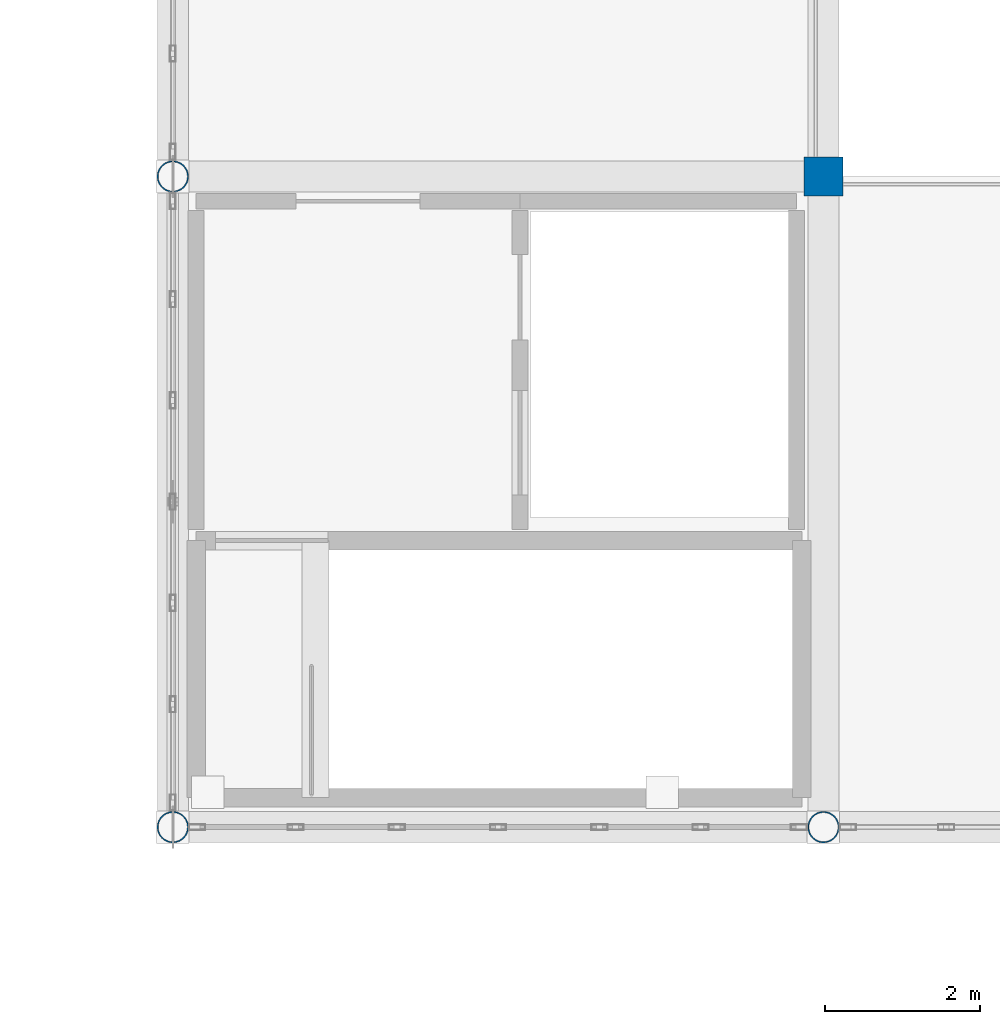
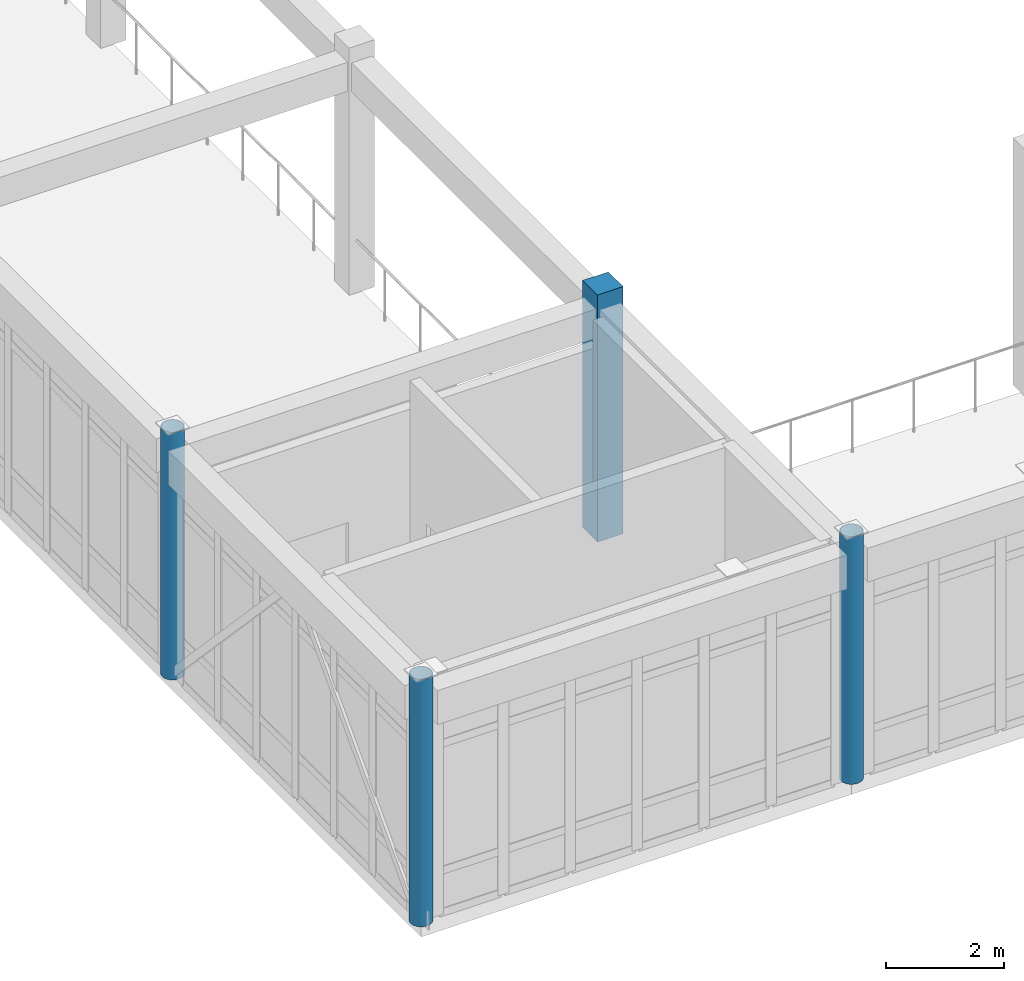
# One storey, part 1 of 134: 4 columns.
"""IFC4 building model written with IfcOpenShell, lengths in metres."""

from ifc_helpers import new_model, si_unit, direction, frame, origin, origin_2d, place, context, subcontext, project, spatial, rectangle, hollow_circle, extrude, material, material_profile, profile_set, type_object, element, save


model = new_model("IFC4")

# Units and contexts
model_context = context("Model", 3, precision=1e-05, world=origin(), true_north=direction((0.0, 1.0)))
body_context = subcontext(model_context, "Body", "Model", "MODEL_VIEW")
ifc_project = project(units=[si_unit("LENGTHUNIT", "METRE"), si_unit("AREAUNIT", "SQUARE_METRE"), si_unit("VOLUMEUNIT", "CUBIC_METRE"), si_unit("PLANEANGLEUNIT", "RADIAN"), si_unit("MASSUNIT", "GRAM", prefix="KILO")], contexts=[model_context])

# Site, building, storey
site_placement = place(None, origin())
site = spatial("IfcSite", under=ifc_project, at=site_placement, CompositionType="ELEMENT")
building_placement = place(site_placement, origin())
building = spatial("IfcBuilding", under=site, at=building_placement, Name="Bramfleet General Hospital", CompositionType="ELEMENT")
storey_placement = place(building_placement, frame((0.0, 0.0, 9.300048828125)))
storey = spatial("IfcBuildingStorey", under=building, at=storey_placement, Name="L02", CompositionType="ELEMENT", Elevation=9.300048828125)

# Columns
ifc_material_1 = material(Name="Steel S355", Category="steel")
ifc_material_profile_1 = material_profile(ifc_material_1, hollow_circle(Radius=0.203125, WallThickness=0.01611328125, at=origin_2d()), Name="CHS 406.4x16.0")
ifc_profile_set_1 = profile_set([ifc_material_profile_1], Name="Steel S355")
column_type_1 = type_object("IfcColumnType", Name="COL-CHS406", PredefinedType="COLUMN", material=ifc_profile_set_1)
for number, where, z_axis, x_axis, name in (
    (1, (50.39990234375, 16.800048828125, 0.0), (0.0, 0.0, 1.0), (1.0, 0.0, 0.0), "Column COL-L02-06-02"),
    (2, (50.39990234375, 25.199951171875, 0.0), (0.0, 0.0, 1.0), (1.0, 0.0, 0.0), "Column COL-L02-06-03"),
    (3, (58.800048828125, 16.800048828125, 0.0), (0.0, 0.0, 1.0), (1.0, 0.0, 0.0), "Column COL-L02-07-02"),
):
    element("IfcColumn", number, at=place(storey_placement, frame(where, z_axis=z_axis, x_axis=x_axis)), inside=storey, type_object=column_type_1, Name=name, PredefinedType="COLUMN", context=body_context, shape_type="SweptSolid", body=[
        extrude(hollow_circle(Radius=0.203125, WallThickness=0.01611328125, at=origin_2d()), origin(), (0.0, 0.0, 1.0), 5.099853515625),
    ])
ifc_material_2 = material(Name="Concrete C40/50", Category="concrete")
ifc_material_profile_2 = material_profile(ifc_material_2, rectangle(XDim=0.5, YDim=0.5, at=origin_2d()), Name="RC COL 500x500")
ifc_profile_set_2 = profile_set([ifc_material_profile_2], Name="Concrete C40/50")
column_type_2 = type_object("IfcColumnType", Name="COL-RC500", PredefinedType="COLUMN", material=ifc_profile_set_2)
column_placement = place(storey_placement, frame((58.800048828125, 25.199951171875, 0.0), z_axis=(0.0, 0.0, 1.0), x_axis=(1.0, 0.0, 0.0)))
element("IfcColumn", 4, at=column_placement, inside=storey, type_object=column_type_2, Name="Column COL-L02-07-03", PredefinedType="COLUMN", context=body_context, shape_type="SweptSolid", body=[
    extrude(rectangle(XDim=0.5, YDim=0.5, at=origin_2d()), origin(), (0.0, 0.0, 1.0), 5.099853515625),
])

save(model, "model.ifc")
